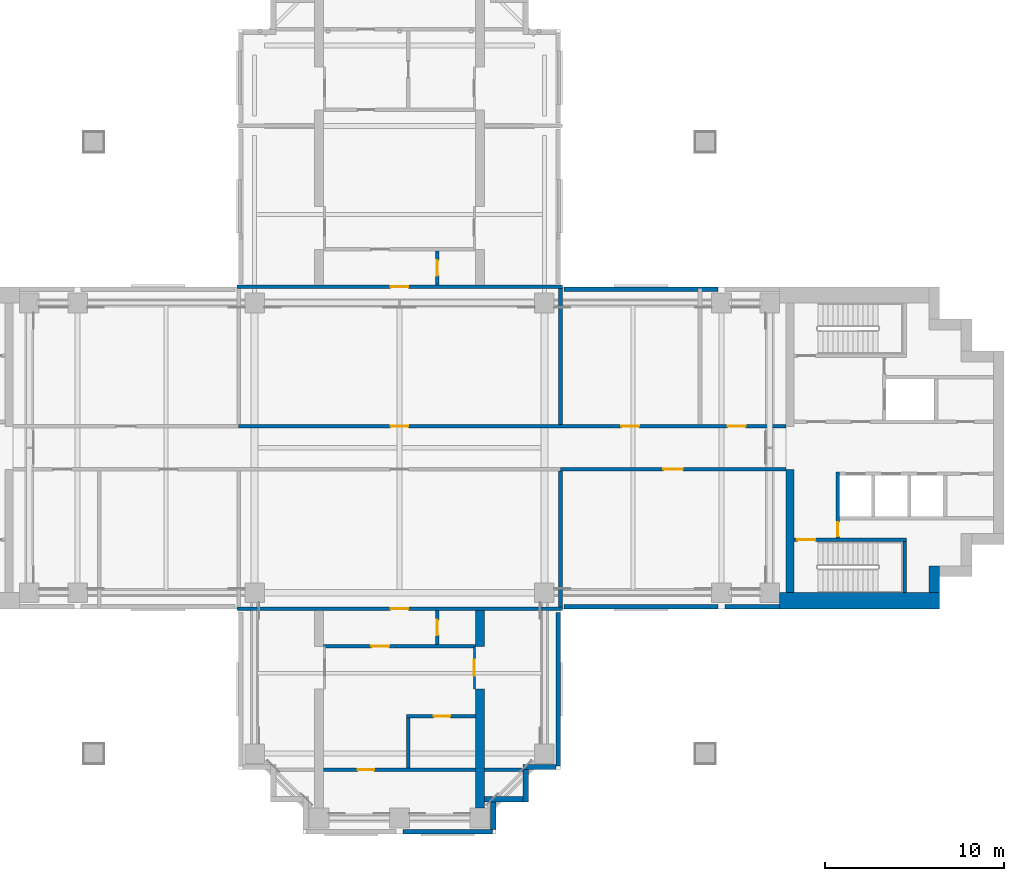
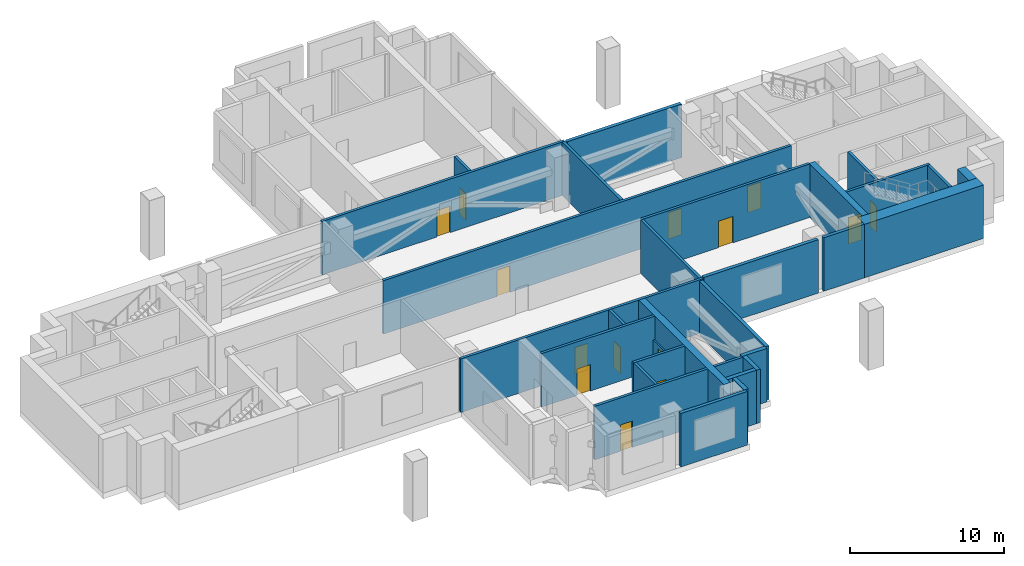
# One storey, part 6 of 11: 30 walls, 14 doors, 14 openings.
"""IFC4 building model written with IfcOpenShell, lengths in metres."""

import ifcopenshell
import ifcopenshell.guid

model = None  # the IFC model being written
_history = None  # IfcOwnerHistory: only IFC2X3 demands one
_inside = {}  # id of a spatial element -> (the spatial element, [elements in it])
_under = {}  # id of a project, library or spatial element -> (it, [spatial elements below it])
_declared = {}  # id of a project -> (the project, [libraries it declares])
_typed = {}  # id of a type object -> (the type object, [elements of that type])
_made_of = {}  # id of a material, layer set ... -> (it, [elements and type objects made of it])


def new_model(schema):
    """Start an empty IFC model of exactly this schema.

    Asked for "IFC4X3", IfcOpenShell would pick the latest addendum, in which some entities
    have other attributes; the version numbers below select the first issue.
    IFC2X3 requires an IfcOwnerHistory on every rooted entity: one is made here for all.
    """
    global model, _history
    if schema == "IFC4X3":
        model = ifcopenshell.file(schema_version=(4, 3, 0, 0))
    else:
        model = ifcopenshell.file(schema=schema)
    _inside.clear()
    _under.clear()
    _declared.clear()
    _typed.clear()
    _made_of.clear()
    _history = None
    if model.schema == "IFC2X3":
        org = make("IfcOrganization", Name="unknown")
        user = make(
            "IfcPersonAndOrganization",
            ThePerson=make("IfcPerson", FamilyName="unknown"),
            TheOrganization=org,
        )
        app = make(
            "IfcApplication",
            ApplicationDeveloper=org,
            Version="unknown",
            ApplicationFullName="unknown",
            ApplicationIdentifier="unknown",
        )
        _history = make(
            "IfcOwnerHistory",
            OwningUser=user,
            OwningApplication=app,
            ChangeAction="ADDED",
            CreationDate=0,
        )
    return model


def make(cls, **values):
    """One entity of the class cls with the attributes given. An attribute that is None is left unset."""
    return model.create_entity(
        cls, **{name: value for name, value in values.items() if value is not None}
    )


def rooted(cls, **values):
    """An entity with a GlobalId (a new one), such as an element, a storey or a relation."""
    return make(cls, GlobalId=ifcopenshell.guid.new(), OwnerHistory=_history, **values)


def si_unit(unit_type, name, prefix=None):
    """IfcSIUnit, for example si_unit("LENGTHUNIT", "METRE", prefix="MILLI")."""
    return make("IfcSIUnit", UnitType=unit_type, Prefix=prefix, Name=name)


def assignment(units):
    """IfcUnitAssignment: the units of a project."""
    return None if units is None else make("IfcUnitAssignment", Units=units)


def point(xyz):
    """IfcCartesianPoint."""
    return None if xyz is None else make("IfcCartesianPoint", Coordinates=xyz)


def direction(xyz):
    """IfcDirection."""
    return None if xyz is None else make("IfcDirection", DirectionRatios=xyz)


def frame(location, z_axis=None, x_axis=None):
    """IfcAxis2Placement3D, a coordinate frame: its origin and axes. An axis left out is left unset."""
    return make(
        "IfcAxis2Placement3D",
        Location=point(location),
        Axis=direction(z_axis),
        RefDirection=direction(x_axis),
    )


def frame_2d(location, x_axis=None):
    """IfcAxis2Placement2D, a coordinate frame in the plane: its origin and x axis."""
    return make(
        "IfcAxis2Placement2D", Location=point(location), RefDirection=direction(x_axis)
    )


def origin():
    """The frame at (0, 0, 0) with its axes left unset."""
    return frame((0.0, 0.0, 0.0))


def place(relative_to, where):
    """IfcLocalPlacement: puts the frame where relative to a parent placement (None: the world)."""
    return make(
        "IfcLocalPlacement", PlacementRelTo=relative_to, RelativePlacement=where
    )


def context(
    kind, dimensions, precision=None, world=None, true_north=None, identifier=None
):
    """IfcGeometricRepresentationContext, for example the 3D "Model" context."""
    return make(
        "IfcGeometricRepresentationContext",
        ContextIdentifier=identifier,
        ContextType=kind,
        CoordinateSpaceDimension=dimensions,
        Precision=precision,
        WorldCoordinateSystem=world,
        TrueNorth=true_north,
    )


def subcontext(parent, identifier, kind, view, scale=None):
    """IfcGeometricRepresentationSubContext, for example "Body" below "Model"."""
    return make(
        "IfcGeometricRepresentationSubContext",
        ContextIdentifier=identifier,
        ContextType=kind,
        ParentContext=parent,
        TargetScale=scale,
        TargetView=view,
    )


def project(units=None, contexts=None):
    """IfcProject with its units and contexts."""
    return rooted(
        "IfcProject",
        Name="project",
        RepresentationContexts=contexts,
        UnitsInContext=assignment(units),
    )


def spatial(cls, under=None, at=None, **own):
    """A site, building, storey or space (cls), placed at a placement, below another one or the project."""
    s = rooted(cls, ObjectPlacement=at, **own)
    if under is not None:
        _under.setdefault(under.id(), (under, []))[1].append(s)
    return s


def polyline(points):
    """IfcPolyline through the points."""
    return make("IfcPolyline", Points=[point(p) for p in points])


def profile(cls, at=None, kind="AREA", **sizes):
    """A parametric profile (cls). Its sizes go by their IFC names, for example OverallWidth=200.0."""
    return make(cls, ProfileType=kind, Position=at, **sizes)


def rectangle(**sizes):
    """IfcRectangleProfileDef."""
    return profile("IfcRectangleProfileDef", **sizes)


def outline(outer, holes=None, kind="AREA"):
    """IfcArbitraryClosedProfileDef: a profile drawn as a closed curve; with holes, ...WithVoids."""
    if holes is None:
        return make("IfcArbitraryClosedProfileDef", ProfileType=kind, OuterCurve=outer)
    return make(
        "IfcArbitraryProfileDefWithVoids",
        ProfileType=kind,
        OuterCurve=outer,
        InnerCurves=holes,
    )


def extrude(swept, where, along, depth):
    """IfcExtrudedAreaSolid: the profile swept, set in the frame where, extruded along a direction by depth."""
    return make(
        "IfcExtrudedAreaSolid",
        SweptArea=swept,
        Position=where,
        ExtrudedDirection=direction(along),
        Depth=depth,
    )


def shape(context_of_items, identifier, shape_type, items):
    """IfcShapeRepresentation: the items that make up one representation, for example the "Body"."""
    return make(
        "IfcShapeRepresentation",
        ContextOfItems=context_of_items,
        RepresentationIdentifier=identifier,
        RepresentationType=shape_type,
        Items=items,
    )


def material(Name=None, Category=None):
    """IfcMaterial."""
    return make("IfcMaterial", Name=Name, Category=Category)


def layer(
    of_material, thickness, ventilated=None, Name=None, Category=None, Priority=None
):
    """IfcMaterialLayer: one layer of a wall or slab, of a material (None: an air gap)."""
    return make(
        "IfcMaterialLayer",
        Material=of_material,
        LayerThickness=thickness,
        IsVentilated=ventilated,
        Name=Name,
        Category=Category,
        Priority=Priority,
    )


def layer_set(layers, Name=None):
    """IfcMaterialLayerSet."""
    return make("IfcMaterialLayerSet", MaterialLayers=layers, LayerSetName=Name)


def material_profile(
    of_material, cross_section, Name=None, Category=None, Priority=None
):
    """IfcMaterialProfile: a cross section and its material."""
    return make(
        "IfcMaterialProfile",
        Name=Name,
        Material=of_material,
        Profile=cross_section,
        Priority=Priority,
        Category=Category,
    )


def profile_set(profiles, Name=None, composite=None):
    """IfcMaterialProfileSet."""
    return make(
        "IfcMaterialProfileSet",
        Name=Name,
        MaterialProfiles=profiles,
        CompositeProfile=composite,
    )


def made_of(thing, what):
    """Note that an element or type object is made of a material, layer set ...; save() writes the relation."""
    if what is not None:
        _made_of.setdefault(what.id(), (what, []))[1].append(thing)
    return thing


def type_object(cls, material=None, **own):
    """A type object (cls), such as IfcWallType, which elements share."""
    return made_of(rooted(cls, **own), material)


def element(
    cls,
    number,
    at=None,
    inside=None,
    cuts=None,
    type_object=None,
    material=None,
    context=None,
    identifier="Body",
    shape_type=None,
    held_by="IfcProductDefinitionShape",
    body=None,
    shapes=None,
    **own,
):
    """One element of the class cls, such as IfcWall. Its Tag is "e" and its number.

    at: its placement. inside: the storey or other place that contains it. cuts: it is an
    opening in that element (IfcRelVoidsElement). A single representation is given by context,
    identifier, shape_type and body (its items); several are given by shapes. held_by: the class
    of the entity that holds the representations. save() writes the other relations.
    """
    e = rooted(cls, Tag="e%d" % number, ObjectPlacement=at, **own)
    if body is not None:
        shapes = [shape(context, identifier, shape_type, body)]
    if shapes is not None:
        e.Representation = make(held_by, Representations=shapes)
    if inside is not None:
        _inside.setdefault(inside.id(), (inside, []))[1].append(e)
    if cuts is not None:
        rooted(
            "IfcRelVoidsElement", RelatingBuildingElement=cuts, RelatedOpeningElement=e
        )
    if type_object is not None:
        _typed.setdefault(type_object.id(), (type_object, []))[1].append(e)
    return made_of(e, material)


def fill(opening, filler):
    """IfcRelFillsElement: the door or window that sits in an opening."""
    return rooted(
        "IfcRelFillsElement",
        RelatingOpeningElement=opening,
        RelatedBuildingElement=filler,
    )


def aggregate(whole, parts):
    """IfcRelAggregates: a whole, such as a stair, and the parts it consists of."""
    return rooted("IfcRelAggregates", RelatingObject=whole, RelatedObjects=parts)


def save(model, path):
    """Write the relations noted so far, then the file.

    IfcRelAggregates (storeys below a building ...), IfcRelContainedInSpatialStructure (elements
    in a storey), IfcRelDefinesByType, IfcRelAssociatesMaterial and IfcRelDeclares: one each for
    every whole, place, type object, material and project.
    """
    for whole, parts in _under.values():
        aggregate(whole, parts)
    for where, things in _inside.values():
        rooted(
            "IfcRelContainedInSpatialStructure",
            RelatedElements=things,
            RelatingStructure=where,
        )
    for kind, things in _typed.values():
        rooted("IfcRelDefinesByType", RelatedObjects=things, RelatingType=kind)
    for what, things in _made_of.values():
        rooted("IfcRelAssociatesMaterial", RelatedObjects=things, RelatingMaterial=what)
    for by, libraries in _declared.values():
        rooted("IfcRelDeclares", RelatingContext=by, RelatedDefinitions=libraries)
    model.write(path)


model = new_model("IFC4")

# Units and contexts
model_context = context("Model", 3, precision=1e-05, world=origin(), true_north=direction((0.0, 1.0)))
body_context = subcontext(model_context, "Body", "Model", "MODEL_VIEW")
ifc_project = project(units=[si_unit("LENGTHUNIT", "METRE"), si_unit("AREAUNIT", "SQUARE_METRE"), si_unit("VOLUMEUNIT", "CUBIC_METRE"), si_unit("PLANEANGLEUNIT", "RADIAN"), si_unit("MASSUNIT", "GRAM", prefix="KILO")], contexts=[model_context])

# Site, building, storey
site_placement = place(None, origin())
site = spatial("IfcSite", under=ifc_project, at=site_placement, CompositionType="ELEMENT")
building_placement = place(site_placement, origin())
building = spatial("IfcBuilding", under=site, at=building_placement, Name="Perihelion Cross Residences", CompositionType="ELEMENT")
storey_placement = place(building_placement, frame((0.0, 0.0, 162.10009765625)))
storey = spatial("IfcBuildingStorey", under=building, at=storey_placement, Name="L39", CompositionType="ELEMENT", Elevation=162.10009765625)

# Wall, openings, doors
ifc_material_1 = material(Name="Plasterboard partition")
ifc_layer_1 = layer(ifc_material_1, 0.199951171875)
ifc_layer_set_1 = layer_set([ifc_layer_1], Name="Apartment riser wall 200")
wall_type_1 = type_object("IfcWallType", Name="Apartment riser wall 200", PredefinedType="PARTITIONING", material=ifc_layer_set_1)
wall_1_placement = place(storey_placement, frame((-9.0, 1.199951171875, 0.0), z_axis=(0.0, 0.0, 1.0), x_axis=(1.0, 0.0, 0.0)))
wall_1 = element("IfcWall", 1, at=wall_1_placement, inside=storey, type_object=wall_type_1, Name="Partition L39 W001", PredefinedType="PARTITIONING", context=body_context, shape_type="SweptSolid", body=[
    extrude(rectangle(XDim=30.60009765625, YDim=0.199951171875, at=frame_2d((15.300048828125, 0.0))), origin(), (0.0, 0.0, 1.0), 4.25),
])
opening_1_placement = place(wall_1_placement, frame((8.5, 0.0, 0.0)))
opening_1 = element("IfcOpeningElement", 2, at=opening_1_placement, cuts=wall_1, Name="Opening L39.A01", PredefinedType="OPENING", context=body_context, shape_type="SweptSolid", body=[
    extrude(rectangle(XDim=1.0, YDim=2.10009765625, at=frame_2d((0.5, 1.050048828125))), frame((0.0, 0.10986328125, 0.0), z_axis=(0.0, -1.0, 0.0), x_axis=(1.0, 0.0, 0.0)), (0.0, 0.0, 1.0), 0.219970703125),
])
opening_2_placement = place(wall_1_placement, frame((21.39990234375, 0.0, 0.0)))
opening_2 = element("IfcOpeningElement", 3, at=opening_2_placement, cuts=wall_1, Name="Opening L39.A03", PredefinedType="OPENING", context=body_context, shape_type="SweptSolid", body=[
    extrude(rectangle(XDim=1.0, YDim=2.10009765625, at=frame_2d((0.5, 1.050048828125))), frame((0.0, 0.10986328125, 0.0), z_axis=(0.0, -1.0, 0.0), x_axis=(1.0, 0.0, 0.0)), (0.0, 0.0, 1.0), 0.219970703125),
])
opening_3_placement = place(wall_1_placement, frame((27.35009765625, 0.0, 0.0)))
opening_3 = element("IfcOpeningElement", 4, at=opening_3_placement, cuts=wall_1, Name="Opening L39.A04", PredefinedType="OPENING", context=body_context, shape_type="SweptSolid", body=[
    extrude(rectangle(XDim=1.0, YDim=2.10009765625, at=frame_2d((0.5, 1.050048828125))), frame((0.0, 0.10986328125, 0.0), z_axis=(0.0, -1.0, 0.0), x_axis=(1.0, 0.0, 0.0)), (0.0, 0.0, 1.0), 0.219970703125),
])
ifc_material_2 = material(Name="Steel door leaf", Category="steel")
door_type_1 = type_object("IfcDoorType", Name="Plant floor door 1000 x 2100", OperationType="SINGLE_SWING_LEFT", PredefinedType="DOOR", material=ifc_material_2)
door_1_placement = place(opening_1_placement, origin())
door_1 = element("IfcDoor", 5, at=door_1_placement, inside=storey, type_object=door_type_1, Name="Door L39.A01", OperationType="SINGLE_SWING_RIGHT", OverallHeight=2.10009765625, OverallWidth=1.0, PredefinedType="DOOR", context=body_context, shape_type="SweptSolid", body=[
    extrude(rectangle(XDim=1.0, YDim=2.10009765625, at=frame_2d((0.5, 1.050048828125))), frame((0.0, 0.02490234375, 0.0), z_axis=(0.0, -1.0, 0.0), x_axis=(1.0, 0.0, 0.0)), (0.0, 0.0, 1.0), 0.050048828125),
])
fill(opening_1, door_1)
door_2_placement = place(opening_2_placement, origin())
door_2 = element("IfcDoor", 6, at=door_2_placement, inside=storey, type_object=door_type_1, Name="Door L39.A03", OperationType="SINGLE_SWING_RIGHT", OverallHeight=2.10009765625, OverallWidth=1.0, PredefinedType="DOOR", context=body_context, shape_type="SweptSolid", body=[
    extrude(rectangle(XDim=1.0, YDim=2.10009765625, at=frame_2d((0.5, 1.050048828125))), frame((0.0, 0.02490234375, 0.0), z_axis=(0.0, -1.0, 0.0), x_axis=(1.0, 0.0, 0.0)), (0.0, 0.0, 1.0), 0.050048828125),
])
fill(opening_2, door_2)
door_3_placement = place(opening_3_placement, origin())
door_3 = element("IfcDoor", 7, at=door_3_placement, inside=storey, type_object=door_type_1, Name="Door L39.A04", OperationType="SINGLE_SWING_LEFT", OverallHeight=2.10009765625, OverallWidth=1.0, PredefinedType="DOOR", context=body_context, shape_type="SweptSolid", body=[
    extrude(rectangle(XDim=1.0, YDim=2.10009765625, at=frame_2d((0.5, 1.050048828125))), frame((0.0, 0.02490234375, 0.0), z_axis=(0.0, -1.0, 0.0), x_axis=(1.0, 0.0, 0.0)), (0.0, 0.0, 1.0), 0.050048828125),
])
fill(opening_3, door_3)

# Wall
wall_2_placement = place(storey_placement, frame((9.0, 8.89990234375, 0.0), z_axis=(0.0, 0.0, 1.0), x_axis=(0.0, -1.0, 0.0)))
element("IfcWall", 8, at=wall_2_placement, inside=storey, type_object=wall_type_1, Name="Partition L39 W005", PredefinedType="PARTITIONING", context=body_context, shape_type="SweptSolid", body=[
    extrude(rectangle(XDim=7.599853515625, YDim=0.199951171875, at=frame_2d((3.7998046875, 0.0))), origin(), (0.0, 0.0, 1.0), 4.25),
])

# Wall, opening, door
wall_3_placement = place(storey_placement, frame((-9.10009765625, 9.0, 0.0), z_axis=(0.0, 0.0, 1.0), x_axis=(1.0, 0.0, 0.0)))
wall_3 = element("IfcWall", 9, at=wall_3_placement, inside=storey, type_object=wall_type_1, Name="Partition L39 W007", PredefinedType="PARTITIONING", context=body_context, shape_type="SweptSolid", body=[
    extrude(rectangle(XDim=18.2001953125, YDim=0.199951171875, at=frame_2d((9.10009765625, 0.0))), origin(), (0.0, 0.0, 1.0), 4.25),
])
opening_4_placement = place(wall_3_placement, frame((8.60009765625, 0.0, 0.0)))
opening_4 = element("IfcOpeningElement", 10, at=opening_4_placement, cuts=wall_3, Name="Opening L39.A09", PredefinedType="OPENING", context=body_context, shape_type="SweptSolid", body=[
    extrude(rectangle(XDim=1.0, YDim=2.10009765625, at=frame_2d((0.5, 1.050048828125))), frame((0.0, 0.10986328125, 0.0), z_axis=(0.0, -1.0, 0.0), x_axis=(1.0, 0.0, 0.0)), (0.0, 0.0, 1.0), 0.219970703125),
])
door_4_placement = place(opening_4_placement, origin())
door_4 = element("IfcDoor", 11, at=door_4_placement, inside=storey, type_object=door_type_1, Name="Door L39.A09", OperationType="SINGLE_SWING_LEFT", OverallHeight=2.10009765625, OverallWidth=1.0, PredefinedType="DOOR", context=body_context, shape_type="SweptSolid", body=[
    extrude(rectangle(XDim=1.0, YDim=2.10009765625, at=frame_2d((0.5, 1.050048828125))), frame((0.0, 0.02490234375, 0.0), z_axis=(0.0, -1.0, 0.0), x_axis=(1.0, 0.0, 0.0)), (0.0, 0.0, 1.0), 0.050048828125),
])
fill(opening_4, door_4)

# Wall
wall_4_placement = place(storey_placement, frame((9.0, -1.300048828125, 0.0), z_axis=(0.0, 0.0, 1.0), x_axis=(0.0, -1.0, 0.0)))
element("IfcWall", 12, at=wall_4_placement, inside=storey, type_object=wall_type_1, Name="Partition L39 W008", PredefinedType="PARTITIONING", context=body_context, shape_type="SweptSolid", body=[
    extrude(rectangle(XDim=7.599853515625, YDim=0.199951171875, at=frame_2d((3.7998046875, 0.0))), origin(), (0.0, 0.0, 1.0), 4.25),
])

# Wall, opening, door
wall_5_placement = place(storey_placement, frame((9.10009765625, -9.0, 0.0), z_axis=(0.0, 0.0, 1.0), x_axis=(-1.0, 0.0, 0.0)))
wall_5 = element("IfcWall", 13, at=wall_5_placement, inside=storey, type_object=wall_type_1, Name="Partition L39 W010", PredefinedType="PARTITIONING", context=body_context, shape_type="SweptSolid", body=[
    extrude(rectangle(XDim=18.2001953125, YDim=0.199951171875, at=frame_2d((9.10009765625, 0.0))), origin(), (0.0, 0.0, 1.0), 4.25),
])
opening_5_placement = place(wall_5_placement, frame((8.60009765625, 0.0, 0.0)))
opening_5 = element("IfcOpeningElement", 14, at=opening_5_placement, cuts=wall_5, Name="Opening L39.A15", PredefinedType="OPENING", context=body_context, shape_type="SweptSolid", body=[
    extrude(rectangle(XDim=1.0, YDim=2.10009765625, at=frame_2d((0.5, 1.050048828125))), frame((0.0, 0.10986328125, 0.0), z_axis=(0.0, -1.0, 0.0), x_axis=(1.0, 0.0, 0.0)), (0.0, 0.0, 1.0), 0.219970703125),
])
door_5_placement = place(opening_5_placement, origin())
door_5 = element("IfcDoor", 15, at=door_5_placement, inside=storey, type_object=door_type_1, Name="Door L39.A15", OperationType="SINGLE_SWING_LEFT", OverallHeight=2.10009765625, OverallWidth=1.0, PredefinedType="DOOR", context=body_context, shape_type="SweptSolid", body=[
    extrude(rectangle(XDim=1.0, YDim=2.10009765625, at=frame_2d((0.5, 1.050048828125))), frame((0.0, 0.02490234375, 0.0), z_axis=(0.0, -1.0, 0.0), x_axis=(1.0, 0.0, 0.0)), (0.0, 0.0, 1.0), 0.050048828125),
])
fill(opening_5, door_5)

wall_6_placement = place(storey_placement, frame((2.10009765625, 11.0, 0.0), z_axis=(0.0, 0.0, 1.0), x_axis=(0.0, -1.0, 0.0)))
wall_6 = element("IfcWall", 16, at=wall_6_placement, inside=storey, type_object=wall_type_1, Name="Partition L39 W013", PredefinedType="PARTITIONING", context=body_context, shape_type="SweptSolid", body=[
    extrude(rectangle(XDim=1.89990234375, YDim=0.199951171875, at=frame_2d((0.949951171875, 0.0))), origin(), (0.0, 0.0, 1.0), 4.25),
])
opening_6_placement = place(wall_6_placement, frame((0.52490234375, 0.0, 0.0)))
opening_6 = element("IfcOpeningElement", 17, at=opening_6_placement, cuts=wall_6, Name="Opening L39.A10", PredefinedType="OPENING", context=body_context, shape_type="SweptSolid", body=[
    extrude(rectangle(XDim=0.85009765625, YDim=2.10009765625, at=frame_2d((0.425048828125, 1.050048828125))), frame((0.0, 0.10986328125, 0.0), z_axis=(0.0, -1.0, 0.0), x_axis=(1.0, 0.0, 0.0)), (0.0, 0.0, 1.0), 0.219970703125),
])
ifc_material_3 = material(Name="Timber door leaf", Category="wood")
door_type_2 = type_object("IfcDoorType", Name="Interior bathroom door 850 x 2100", OperationType="SINGLE_SWING_LEFT", PredefinedType="DOOR", material=ifc_material_3)
door_6_placement = place(opening_6_placement, origin())
door_6 = element("IfcDoor", 18, at=door_6_placement, inside=storey, type_object=door_type_2, Name="Door L39.A10", OperationType="SINGLE_SWING_RIGHT", OverallHeight=2.10009765625, OverallWidth=0.85009765625, PredefinedType="DOOR", context=body_context, shape_type="SweptSolid", body=[
    extrude(rectangle(XDim=0.85009765625, YDim=2.10009765625, at=frame_2d((0.425048828125, 1.050048828125))), frame((0.0, 0.02490234375, 0.0), z_axis=(0.0, -1.0, 0.0), x_axis=(1.0, 0.0, 0.0)), (0.0, 0.0, 1.0), 0.050048828125),
])
fill(opening_6, door_6)

wall_7_placement = place(storey_placement, frame((2.10009765625, -9.10009765625, 0.0), z_axis=(0.0, 0.0, 1.0), x_axis=(0.0, -1.0, 0.0)))
wall_7 = element("IfcWall", 19, at=wall_7_placement, inside=storey, type_object=wall_type_1, Name="Partition L39 W022", PredefinedType="PARTITIONING", context=body_context, shape_type="SweptSolid", body=[
    extrude(rectangle(XDim=1.89990234375, YDim=0.199951171875, at=frame_2d((0.949951171875, 0.0))), origin(), (0.0, 0.0, 1.0), 4.25),
])
opening_7_placement = place(wall_7_placement, frame((0.52490234375, 0.0, 0.0)))
opening_7 = element("IfcOpeningElement", 20, at=opening_7_placement, cuts=wall_7, Name="Opening L39.A16", PredefinedType="OPENING", context=body_context, shape_type="SweptSolid", body=[
    extrude(rectangle(XDim=0.85009765625, YDim=2.10009765625, at=frame_2d((0.425048828125, 1.050048828125))), frame((0.0, 0.10986328125, 0.0), z_axis=(0.0, -1.0, 0.0), x_axis=(1.0, 0.0, 0.0)), (0.0, 0.0, 1.0), 0.219970703125),
])
door_7_placement = place(opening_7_placement, origin())
door_7 = element("IfcDoor", 21, at=door_7_placement, inside=storey, type_object=door_type_2, Name="Door L39.A16", OperationType="SINGLE_SWING_RIGHT", OverallHeight=2.10009765625, OverallWidth=0.85009765625, PredefinedType="DOOR", context=body_context, shape_type="SweptSolid", body=[
    extrude(rectangle(XDim=0.85009765625, YDim=2.10009765625, at=frame_2d((0.425048828125, 1.050048828125))), frame((0.0, 0.02490234375, 0.0), z_axis=(0.0, -1.0, 0.0), x_axis=(1.0, 0.0, 0.0)), (0.0, 0.0, 1.0), 0.050048828125),
])
fill(opening_7, door_7)

wall_8_placement = place(storey_placement, frame((4.25, -11.10009765625, 0.0), z_axis=(0.0, 0.0, 1.0), x_axis=(-1.0, 0.0, 0.0)))
wall_8 = element("IfcWall", 22, at=wall_8_placement, inside=storey, type_object=wall_type_1, Name="Partition L39 W023", PredefinedType="PARTITIONING", context=body_context, shape_type="SweptSolid", body=[
    extrude(rectangle(XDim=8.5, YDim=0.199951171875, at=frame_2d((4.25, 0.0))), origin(), (0.0, 0.0, 1.0), 4.25),
])
opening_8_placement = place(wall_8_placement, frame((4.824951171875, 0.0, 0.0)))
opening_8 = element("IfcOpeningElement", 23, at=opening_8_placement, cuts=wall_8, Name="Opening L39.A17", PredefinedType="OPENING", context=body_context, shape_type="SweptSolid", body=[
    extrude(rectangle(XDim=1.0, YDim=2.10009765625, at=frame_2d((0.5, 1.050048828125))), frame((0.0, 0.10986328125, 0.0), z_axis=(0.0, -1.0, 0.0), x_axis=(1.0, 0.0, 0.0)), (0.0, 0.0, 1.0), 0.219970703125),
])
door_8_placement = place(opening_8_placement, origin())
door_8 = element("IfcDoor", 24, at=door_8_placement, inside=storey, type_object=door_type_1, Name="Door L39.A17", OperationType="SINGLE_SWING_RIGHT", OverallHeight=2.10009765625, OverallWidth=1.0, PredefinedType="DOOR", context=body_context, shape_type="SweptSolid", body=[
    extrude(rectangle(XDim=1.0, YDim=2.10009765625, at=frame_2d((0.5, 1.050048828125))), frame((0.0, 0.02490234375, 0.0), z_axis=(0.0, -1.0, 0.0), x_axis=(1.0, 0.0, 0.0)), (0.0, 0.0, 1.0), 0.050048828125),
])
fill(opening_8, door_8)

wall_9_placement = place(storey_placement, frame((4.25, -15.0, 0.0), z_axis=(0.0, 0.0, 1.0), x_axis=(-1.0, 0.0, 0.0)))
wall_9 = element("IfcWall", 25, at=wall_9_placement, inside=storey, type_object=wall_type_1, Name="Partition L39 W024", PredefinedType="PARTITIONING", context=body_context, shape_type="SweptSolid", body=[
    extrude(rectangle(XDim=3.85009765625, YDim=0.199951171875, at=frame_2d((1.925048828125, 0.0))), origin(), (0.0, 0.0, 1.0), 4.25),
])
opening_9_placement = place(wall_9_placement, frame((1.425048828125, 0.0, 0.0)))
opening_9 = element("IfcOpeningElement", 26, at=opening_9_placement, cuts=wall_9, Name="Opening L39.A18", PredefinedType="OPENING", context=body_context, shape_type="SweptSolid", body=[
    extrude(rectangle(XDim=0.89990234375, YDim=2.10009765625, at=frame_2d((0.449951171875, 1.050048828125))), frame((0.0, 0.10986328125, 0.0), z_axis=(0.0, -1.0, 0.0), x_axis=(1.0, 0.0, 0.0)), (0.0, 0.0, 1.0), 0.219970703125),
])
ifc_material_4 = material(Name="Timber door leaf", Category="wood")
door_type_3 = type_object("IfcDoorType", Name="Interior room door 900 x 2100", OperationType="SINGLE_SWING_LEFT", PredefinedType="DOOR", material=ifc_material_4)
door_9_placement = place(opening_9_placement, origin())
door_9 = element("IfcDoor", 27, at=door_9_placement, inside=storey, type_object=door_type_3, Name="Door L39.A18", OperationType="SINGLE_SWING_LEFT", OverallHeight=2.10009765625, OverallWidth=0.89990234375, PredefinedType="DOOR", context=body_context, shape_type="SweptSolid", body=[
    extrude(rectangle(XDim=0.89990234375, YDim=2.10009765625, at=frame_2d((0.449951171875, 1.050048828125))), frame((0.0, 0.02490234375, 0.0), z_axis=(0.0, -1.0, 0.0), x_axis=(1.0, 0.0, 0.0)), (0.0, 0.0, 1.0), 0.050048828125),
])
fill(opening_9, door_9)

# Wall
wall_10_placement = place(storey_placement, frame((0.5, -15.10009765625, 0.0), z_axis=(0.0, 0.0, 1.0), x_axis=(0.0, -1.0, 0.0)))
element("IfcWall", 28, at=wall_10_placement, inside=storey, type_object=wall_type_1, Name="Partition L39 W025", PredefinedType="PARTITIONING", context=body_context, shape_type="SweptSolid", body=[
    extrude(rectangle(XDim=2.7998046875, YDim=0.199951171875, at=frame_2d((1.39990234375, 0.0))), origin(), (0.0, 0.0, 1.0), 4.25),
])

# Wall, opening, door
wall_11_placement = place(storey_placement, frame((4.25, -18.0, 0.0), z_axis=(0.0, 0.0, 1.0), x_axis=(-1.0, 0.0, 0.0)))
wall_11 = element("IfcWall", 29, at=wall_11_placement, inside=storey, type_object=wall_type_1, Name="Partition L39 W026", PredefinedType="PARTITIONING", context=body_context, shape_type="SweptSolid", body=[
    extrude(rectangle(XDim=8.5, YDim=0.199951171875, at=frame_2d((4.25, 0.0))), origin(), (0.0, 0.0, 1.0), 4.25),
])
opening_10_placement = place(wall_11_placement, frame((5.675048828125, 0.0, 0.0)))
opening_10 = element("IfcOpeningElement", 30, at=opening_10_placement, cuts=wall_11, Name="Opening L39.A19", PredefinedType="OPENING", context=body_context, shape_type="SweptSolid", body=[
    extrude(rectangle(XDim=0.89990234375, YDim=2.10009765625, at=frame_2d((0.449951171875, 1.050048828125))), frame((0.0, 0.10986328125, 0.0), z_axis=(0.0, -1.0, 0.0), x_axis=(1.0, 0.0, 0.0)), (0.0, 0.0, 1.0), 0.219970703125),
])
door_10_placement = place(opening_10_placement, origin())
door_10 = element("IfcDoor", 31, at=door_10_placement, inside=storey, type_object=door_type_3, Name="Door L39.A19", OperationType="SINGLE_SWING_RIGHT", OverallHeight=2.10009765625, OverallWidth=0.89990234375, PredefinedType="DOOR", context=body_context, shape_type="SweptSolid", body=[
    extrude(rectangle(XDim=0.89990234375, YDim=2.10009765625, at=frame_2d((0.449951171875, 1.050048828125))), frame((0.0, 0.02490234375, 0.0), z_axis=(0.0, -1.0, 0.0), x_axis=(1.0, 0.0, 0.0)), (0.0, 0.0, 1.0), 0.050048828125),
])
fill(opening_10, door_10)

# Wall
wall_12_placement = place(storey_placement, frame((6.89990234375, -18.0, 0.0), z_axis=(0.0, 0.0, 1.0), x_axis=(-1.0, 0.0, 0.0)))
element("IfcWall", 32, at=wall_12_placement, inside=storey, type_object=wall_type_1, Name="Partition L39 W027", PredefinedType="PARTITIONING", context=body_context, shape_type="SweptSolid", body=[
    extrude(rectangle(XDim=2.14990234375, YDim=0.199951171875, at=frame_2d((1.074951171875, 0.0))), origin(), (0.0, 0.0, 1.0), 4.25),
])

# Wall, opening, door
ifc_material_5 = material(Name="Plasterboard partition")
ifc_layer_2 = layer(ifc_material_5, 0.199951171875)
ifc_layer_set_2 = layer_set([ifc_layer_2], Name="Apartment separation wall 200")
wall_type_2 = type_object("IfcWallType", Name="Apartment separation wall 200", PredefinedType="PARTITIONING", material=ifc_layer_set_2)
wall_13_placement = place(storey_placement, frame((21.60009765625, -1.199951171875, 0.0), z_axis=(0.0, 0.0, 1.0), x_axis=(-1.0, 0.0, 0.0)))
wall_13 = element("IfcWall", 33, at=wall_13_placement, inside=storey, type_object=wall_type_2, Name="Partition L39 W003", PredefinedType="PARTITIONING", context=body_context, shape_type="SweptSolid", body=[
    extrude(rectangle(XDim=12.60009765625, YDim=0.199951171875, at=frame_2d((6.300048828125, 0.0))), origin(), (0.0, 0.0, 1.0), 4.25),
])
opening_11_placement = place(wall_13_placement, frame((5.75, 0.0, 0.0)))
opening_11 = element("IfcOpeningElement", 34, at=opening_11_placement, cuts=wall_13, Name="Opening L39.A05", PredefinedType="OPENING", context=body_context, shape_type="SweptSolid", body=[
    extrude(rectangle(XDim=1.10009765625, YDim=2.10009765625, at=frame_2d((0.550048828125, 1.050048828125))), frame((0.0, 0.10986328125, 0.0), z_axis=(0.0, -1.0, 0.0), x_axis=(1.0, 0.0, 0.0)), (0.0, 0.0, 1.0), 0.219970703125),
])
ifc_material_6 = material(Name="Steel door leaf", Category="steel")
door_type_4 = type_object("IfcDoorType", Name="Refuge room door 1100 x 2100", OperationType="SINGLE_SWING_LEFT", PredefinedType="DOOR", material=ifc_material_6)
door_11_placement = place(opening_11_placement, origin())
door_11 = element("IfcDoor", 35, at=door_11_placement, inside=storey, type_object=door_type_4, Name="Door L39.A05", OperationType="SINGLE_SWING_LEFT", OverallHeight=2.10009765625, OverallWidth=1.10009765625, PredefinedType="DOOR", context=body_context, shape_type="SweptSolid", body=[
    extrude(rectangle(XDim=1.10009765625, YDim=2.10009765625, at=frame_2d((0.550048828125, 1.050048828125))), frame((0.0, 0.02490234375, 0.0), z_axis=(0.0, -1.0, 0.0), x_axis=(1.0, 0.0, 0.0)), (0.0, 0.0, 1.0), 0.050048828125),
])
fill(opening_11, door_11)

# Walls
ifc_material_7 = material(Name="Concrete C30/37, bronze-clad", Category="concrete")
ifc_layer_3 = layer(ifc_material_7, 0.300048828125)
ifc_layer_set_3 = layer_set([ifc_layer_3], Name="Bronze-clad serration wall 300")
wall_type_3 = type_object("IfcWallType", Name="Bronze-clad serration wall 300", PredefinedType="SOLIDWALL", material=ifc_layer_set_3)
wall_14_placement = place(storey_placement, frame((5.25, -21.35009765625, 0.0), z_axis=(0.0, 0.0, 1.0), x_axis=(0.0, 1.0, 0.0)))
element("IfcWall", 36, at=wall_14_placement, inside=storey, type_object=wall_type_3, Name="Wall SR1 L39 south corner south-east 1", PredefinedType="SOLIDWALL", context=body_context, shape_type="SweptSolid", body=[
    extrude(rectangle(XDim=1.550048828125, YDim=0.300048828125, at=frame_2d((0.77490234375, 0.0))), origin(), (0.0, 0.0, 1.0), 4.25),
])
wall_15_placement = place(storey_placement, frame((4.75, -19.64990234375, 0.0), z_axis=(0.0, 0.0, 1.0), x_axis=(1.0, 0.0, 0.0)))
element("IfcWall", 37, at=wall_15_placement, inside=storey, type_object=wall_type_3, Name="Wall SR1 L39 south corner south-east 2", PredefinedType="SOLIDWALL", context=body_context, shape_type="SweptSolid", body=[
    extrude(rectangle(XDim=2.14990234375, YDim=0.300048828125, at=frame_2d((1.074951171875, 0.0))), origin(), (0.0, 0.0, 1.0), 4.25),
])
wall_16_placement = place(storey_placement, frame((7.050048828125, -19.800048828125, 0.0), z_axis=(0.0, 0.0, 1.0), x_axis=(0.0, 1.0, 0.0)))
element("IfcWall", 38, at=wall_16_placement, inside=storey, type_object=wall_type_3, Name="Wall SR1 L39 south corner south-east 3", PredefinedType="SOLIDWALL", context=body_context, shape_type="SweptSolid", body=[
    extrude(rectangle(XDim=1.800048828125, YDim=0.300048828125, at=frame_2d((0.89990234375, 0.0))), origin(), (0.0, 0.0, 1.0), 4.25),
])
wall_17_placement = place(storey_placement, frame((6.89990234375, -17.85009765625, 0.0), z_axis=(0.0, 0.0, 1.0), x_axis=(1.0, 0.0, 0.0)))
element("IfcWall", 39, at=wall_17_placement, inside=storey, type_object=wall_type_3, Name="Wall SR1 L39 south corner south-east 4", PredefinedType="SOLIDWALL", context=body_context, shape_type="SweptSolid", body=[
    extrude(rectangle(XDim=1.85009765625, YDim=0.300048828125, at=frame_2d((0.925048828125, 0.0))), origin(), (0.0, 0.0, 1.0), 4.25),
])
ifc_material_8 = material(Name="Concrete C60/75", Category="concrete")
ifc_layer_4 = layer(ifc_material_8, 0.449951171875)
ifc_layer_set_4 = layer_set([ifc_layer_4], Name="Core wall, inner 450")
wall_type_4 = type_object("IfcWallType", Name="Core wall, inner 450", PredefinedType="SHEAR", material=ifc_layer_set_4)
wall_18_placement = place(storey_placement, frame((21.824951171875, -8.10009765625, 0.0), z_axis=(0.0, 0.0, 1.0), x_axis=(0.0, 1.0, 0.0)))
element("IfcWall", 40, at=wall_18_placement, inside=storey, type_object=wall_type_4, Name="East core core wall, inner", PredefinedType="SHEAR", context=body_context, shape_type="SweptSolid", body=[
    extrude(rectangle(XDim=6.900146484375, YDim=0.449951171875, at=frame_2d((3.4501953125, 0.0))), origin(), (0.0, 0.0, 1.0), 4.25),
])
ifc_material_9 = material(Name="Concrete C60/75", Category="concrete")
ifc_layer_5 = layer(ifc_material_9, 0.60009765625)
ifc_layer_set_5 = layer_set([ifc_layer_5], Name="Core wall, outer 600")
wall_type_5 = type_object("IfcWallType", Name="Core wall, outer 600", PredefinedType="SHEAR", material=ifc_layer_set_5)
wall_19_placement = place(storey_placement, frame((29.89990234375, -8.10009765625, 0.0), z_axis=(0.0, 0.0, 1.0), x_axis=(0.0, 1.0, 0.0)))
element("IfcWall", 41, at=wall_19_placement, inside=storey, type_object=wall_type_5, Name="East core core wall, outer", PredefinedType="SHEAR", context=body_context, shape_type="SweptSolid", body=[
    extrude(rectangle(XDim=1.5, YDim=0.60009765625, at=frame_2d((0.75, 0.0))), origin(), (0.0, 0.0, 1.0), 4.25),
])
ifc_material_10 = material(Name="Concrete C60/75", Category="concrete")
ifc_layer_6 = layer(ifc_material_10, 0.89990234375)
ifc_layer_set_6 = layer_set([ifc_layer_6], Name="Core wall, outer 900")
wall_type_6 = type_object("IfcWallType", Name="Core wall, outer 900", PredefinedType="SHEAR", material=ifc_layer_set_6)
wall_20_placement = place(storey_placement, frame((21.25, -8.550048828125, 0.0), z_axis=(0.0, 0.0, 1.0), x_axis=(1.0, 0.0, 0.0)))
element("IfcWall", 42, at=wall_20_placement, inside=storey, type_object=wall_type_6, Name="East core core wall, outer", PredefinedType="SHEAR", context=body_context, shape_type="SweptSolid", body=[
    extrude(rectangle(XDim=8.949951171875, YDim=0.89990234375, at=frame_2d((4.47509765625, 0.0))), origin(), (0.0, 0.0, 1.0), 4.25),
])

# Wall, opening, door
ifc_material_11 = material(Name="Plasterboard partition")
ifc_layer_7 = layer(ifc_material_11, 0.1201171875)
ifc_layer_set_7 = layer_set([ifc_layer_7], Name="Infill panel 120")
wall_type_7 = type_object("IfcWallType", Name="Infill panel 120", PredefinedType="PARTITIONING", material=ifc_layer_set_7)
wall_21_placement = place(storey_placement, frame((4.18994140625, -11.10009765625, 0.0), z_axis=(0.0, 0.0, 1.0), x_axis=(0.0, -1.0, 0.0)))
wall_21 = element("IfcWall", 43, at=wall_21_placement, inside=storey, type_object=wall_type_7, Name="Partition L39 WI05", PredefinedType="PARTITIONING", context=body_context, shape_type="SweptSolid", body=[
    extrude(rectangle(XDim=2.39990234375, YDim=0.1201171875, at=frame_2d((1.199951171875, 0.0))), origin(), (0.0, 0.0, 1.0), 2.39990234375),
])
opening_12_placement = place(wall_21_placement, frame((0.75, 0.0, 0.0)))
opening_12 = element("IfcOpeningElement", 44, at=opening_12_placement, cuts=wall_21, Name="Opening L39.A24", PredefinedType="OPENING", context=body_context, shape_type="SweptSolid", body=[
    extrude(rectangle(XDim=0.89990234375, YDim=2.10009765625, at=frame_2d((0.449951171875, 1.050048828125))), frame((0.0, 0.070068359375, 0.0), z_axis=(0.0, -1.0, 0.0), x_axis=(1.0, 0.0, 0.0)), (0.0, 0.0, 1.0), 0.14013671875),
])
door_12_placement = place(opening_12_placement, origin())
door_12 = element("IfcDoor", 45, at=door_12_placement, inside=storey, type_object=door_type_3, Name="Door L39.A24", OperationType="SINGLE_SWING_LEFT", OverallHeight=2.10009765625, OverallWidth=0.89990234375, PredefinedType="DOOR", context=body_context, shape_type="SweptSolid", body=[
    extrude(rectangle(XDim=0.89990234375, YDim=2.10009765625, at=frame_2d((0.449951171875, 1.050048828125))), frame((0.0, 0.02490234375, 0.0), z_axis=(0.0, -1.0, 0.0), x_axis=(1.0, 0.0, 0.0)), (0.0, 0.0, 1.0), 0.050048828125),
])
fill(opening_12, door_12)

ifc_material_12 = material(Name="Concrete C50/60", Category="concrete")
ifc_layer_8 = layer(ifc_material_12, 0.199951171875)
ifc_layer_set_8 = layer_set([ifc_layer_8], Name="Lobby wall 200")
wall_type_8 = type_object("IfcWallType", Name="Lobby wall 200", PredefinedType="SOLIDWALL", material=ifc_layer_set_8)
wall_22_placement = place(storey_placement, frame((24.5, -5.050048828125, 0.0), z_axis=(0.0, 0.0, 1.0), x_axis=(0.0, 1.0, 0.0)))
wall_22 = element("IfcWall", 46, at=wall_22_placement, inside=storey, type_object=wall_type_8, Name="East core lobby wall", PredefinedType="SOLIDWALL", context=body_context, shape_type="SweptSolid", body=[
    extrude(rectangle(XDim=3.699951171875, YDim=0.199951171875, at=frame_2d((1.85009765625, 0.0))), origin(), (0.0, 0.0, 1.0), 4.25),
])
opening_13_placement = place(wall_22_placement, frame((0.10009765625, 0.0, 0.0)))
opening_13 = element("IfcOpeningElement", 47, at=opening_13_placement, cuts=wall_22, Name="Opening L39.C08", PredefinedType="OPENING", context=body_context, shape_type="SweptSolid", body=[
    extrude(rectangle(XDim=0.800048828125, YDim=2.10009765625, at=frame_2d((0.39990234375, 1.050048828125))), frame((0.0, 0.10986328125, 0.0), z_axis=(0.0, -1.0, 0.0), x_axis=(1.0, 0.0, 0.0)), (0.0, 0.0, 1.0), 0.219970703125),
])
ifc_material_13 = material(Name="Steel, powder coated", Category="steel")
door_type_5 = type_object("IfcDoorType", Name="Riser door 800", OperationType="SINGLE_SWING_LEFT", PredefinedType="DOOR", material=ifc_material_13)
door_13_placement = place(opening_13_placement, origin())
door_13 = element("IfcDoor", 48, at=door_13_placement, inside=storey, type_object=door_type_5, Name="East core riser door", OperationType="SINGLE_SWING_LEFT", OverallHeight=2.10009765625, OverallWidth=0.800048828125, PredefinedType="DOOR", context=body_context, shape_type="SweptSolid", body=[
    extrude(rectangle(XDim=0.800048828125, YDim=2.10009765625, at=frame_2d((0.39990234375, 1.050048828125))), frame((0.0, 0.02490234375, 0.0), z_axis=(0.0, -1.0, 0.0), x_axis=(1.0, 0.0, 0.0)), (0.0, 0.0, 1.0), 0.050048828125),
])
fill(opening_13, door_13)

# Walls
ifc_material_14 = material(Name="Concrete C30/37, bronze-clad", Category="concrete")
ifc_layer_9 = layer(ifc_material_14, 0.25)
ifc_layer_set_9 = layer_set([ifc_layer_9], Name="Louvre bay wall 250")
wall_type_9 = type_object("IfcWallType", Name="Louvre bay wall 250", PredefinedType="SOLIDWALL", material=ifc_layer_set_9)
wall_23_placement = place(storey_placement, frame((17.800048828125, 8.875, 0.0), z_axis=(0.0, 0.0, 1.0), x_axis=(-1.0, 0.0, 0.0)))
element("IfcWall", 49, at=wall_23_placement, inside=storey, type_object=wall_type_9, Name="Wall FW2 L39 east side north bay 2 louvre", PredefinedType="SOLIDWALL", context=body_context, shape_type="SweptSolid", body=[
    extrude(rectangle(XDim=8.60009765625, YDim=0.25, at=frame_2d((4.300048828125, 0.0))), origin(), (0.0, 0.0, 1.0), 4.25),
])
wall_24_placement = place(storey_placement, frame((0.199951171875, -21.47509765625, 0.0), z_axis=(0.0, 0.0, 1.0), x_axis=(1.0, 0.0, 0.0)))
element("IfcWall", 50, at=wall_24_placement, inside=storey, type_object=wall_type_9, Name="Wall FW2 L39 south tip south bay 2 louvre", PredefinedType="SOLIDWALL", context=body_context, shape_type="SweptSolid", body=[
    extrude(rectangle(XDim=5.0, YDim=0.25, at=frame_2d((2.5, 0.0))), origin(), (0.0, 0.0, 1.0), 4.25),
])
for number, where, z_axis, x_axis, name in (
    (51, (8.875, -17.800048828125, 0.0), (0.0, 0.0, 1.0), (0.0, 1.0, 0.0), "Wall FW2 L39 south side east bay 1 louvre"),
    (52, (9.199951171875, -8.875, 0.0), (0.0, 0.0, 1.0), (1.0, 0.0, 0.0), "Wall FW2 L39 east side south bay 1 louvre"),
):
    element("IfcWall", number, at=place(storey_placement, frame(where, z_axis=z_axis, x_axis=x_axis)), inside=storey, type_object=wall_type_9, Name=name, PredefinedType="SOLIDWALL", context=body_context, shape_type="SweptSolid", body=[
        extrude(rectangle(XDim=8.60009765625, YDim=0.25, at=frame_2d((4.300048828125, 0.0))), origin(), (0.0, 0.0, 1.0), 4.25),
    ])
wall_25_placement = place(storey_placement, frame((18.199951171875, -8.875, 0.0), z_axis=(0.0, 0.0, 1.0), x_axis=(1.0, 0.0, 0.0)))
element("IfcWall", 53, at=wall_25_placement, inside=storey, type_object=wall_type_9, Name="Wall FW2 L39 east side south bay 2 louvre", PredefinedType="SOLIDWALL", context=body_context, shape_type="SweptSolid", body=[
    extrude(rectangle(XDim=3.050048828125, YDim=0.25, at=frame_2d((1.52490234375, 0.0))), origin(), (0.0, 0.0, 1.0), 4.25),
])

# Wall, opening, door
ifc_material_15 = material(Name="Concrete C50/60", Category="concrete")
ifc_layer_10 = layer(ifc_material_15, 0.199951171875)
ifc_layer_set_10 = layer_set([ifc_layer_10], Name="Stair wall 200")
wall_type_10 = type_object("IfcWallType", Name="Stair wall 200", PredefinedType="SOLIDWALL", material=ifc_layer_set_10)
wall_26_placement = place(storey_placement, frame((22.050048828125, -5.14990234375, 0.0), z_axis=(0.0, 0.0, 1.0), x_axis=(1.0, 0.0, 0.0)))
wall_26 = element("IfcWall", 54, at=wall_26_placement, inside=storey, type_object=wall_type_10, Name="East core stair wall", PredefinedType="SOLIDWALL", context=body_context, shape_type="SweptSolid", body=[
    extrude(rectangle(XDim=6.300048828125, YDim=0.199951171875, at=frame_2d((3.14990234375, 0.0))), origin(), (0.0, 0.0, 1.0), 4.25),
])
opening_14_placement = place(wall_26_placement, frame((0.199951171875, 0.0, 0.0)))
opening_14 = element("IfcOpeningElement", 55, at=opening_14_placement, cuts=wall_26, Name="Opening L39.C05", PredefinedType="OPENING", context=body_context, shape_type="SweptSolid", body=[
    extrude(rectangle(XDim=1.0, YDim=2.10009765625, at=frame_2d((0.5, 1.050048828125))), frame((0.0, 0.10986328125, 0.0), z_axis=(0.0, -1.0, 0.0), x_axis=(1.0, 0.0, 0.0)), (0.0, 0.0, 1.0), 0.219970703125),
])
ifc_material_16 = material(Name="Steel, powder coated", Category="steel")
door_type_6 = type_object("IfcDoorType", Name="Stair door 1000", OperationType="SINGLE_SWING_LEFT", PredefinedType="DOOR", material=ifc_material_16)
door_14_placement = place(opening_14_placement, origin())
door_14 = element("IfcDoor", 56, at=door_14_placement, inside=storey, type_object=door_type_6, Name="East core stair door", OperationType="SINGLE_SWING_LEFT", OverallHeight=2.10009765625, OverallWidth=1.0, PredefinedType="DOOR", context=body_context, shape_type="SweptSolid", body=[
    extrude(rectangle(XDim=1.0, YDim=2.10009765625, at=frame_2d((0.5, 1.050048828125))), frame((0.0, 0.02490234375, 0.0), z_axis=(0.0, -1.0, 0.0), x_axis=(1.0, 0.0, 0.0)), (0.0, 0.0, 1.0), 0.050048828125),
])
fill(opening_14, door_14)

# Walls
wall_27_placement = place(storey_placement, frame((28.25, -8.10009765625, 0.0), z_axis=(0.0, 0.0, 1.0), x_axis=(0.0, 1.0, 0.0)))
element("IfcWall", 57, at=wall_27_placement, inside=storey, type_object=wall_type_10, Name="East core stair wall", PredefinedType="SOLIDWALL", context=body_context, shape_type="SweptSolid", body=[
    extrude(rectangle(XDim=2.85009765625, YDim=0.199951171875, at=frame_2d((1.425048828125, 0.0))), origin(), (0.0, 0.0, 1.0), 4.25),
])
ifc_material_17 = material(Name="Concrete C60/75", Category="concrete")
ifc_material_profile = material_profile(ifc_material_17, outline(polyline([(0.0, 0.0), (6.64990234375, 0.0), (6.64990234375, 2.85009765625), (9.050048828125, 2.85009765625), (9.050048828125, 0.0), (11.14990234375, 0.0), (11.14990234375, 4.699951171875), (0.0, 4.699951171875), (0.0, 0.0)])), Name="Tip spine wall")
ifc_profile_set = profile_set([ifc_material_profile], Name="Concrete C60/75")
wall_type_11 = type_object("IfcWallType", Name="Tip spine wall 500 with 1 door openings 11150 long 4700 high concrete C60/75", PredefinedType="SHEAR", material=ifc_profile_set)
wall_28_placement = place(storey_placement, frame((4.25, -20.14990234375, -0.4501953125), z_axis=(1.0, 0.0, 0.0), x_axis=(0.0, 1.0, 0.0)))
element("IfcWall", 58, at=wall_28_placement, inside=storey, type_object=wall_type_11, Name="Shear wall SW39 L39 south east", PredefinedType="SHEAR", context=body_context, shape_type="SweptSolid", body=[
    extrude(outline(polyline([(0.0, 0.0), (6.64990234375, 0.0), (6.64990234375, 2.85009765625), (9.050048828125, 2.85009765625), (9.050048828125, 0.0), (11.14990234375, 0.0), (11.14990234375, 4.699951171875), (0.0, 4.699951171875), (0.0, 0.0)])), origin(), (0.0, 0.0, 1.0), 0.5),
])

save(model, "model.ifc")
